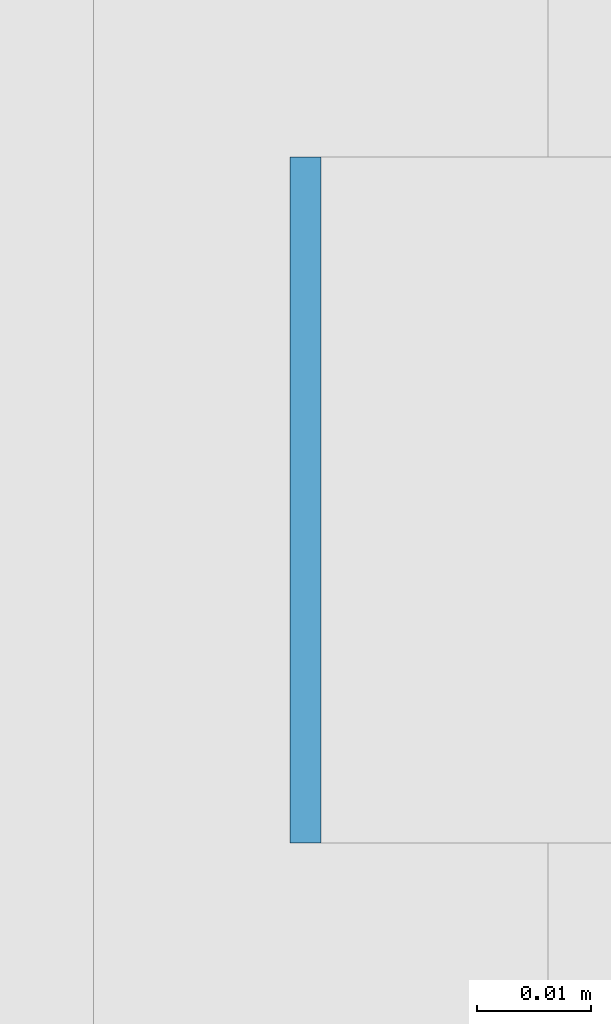
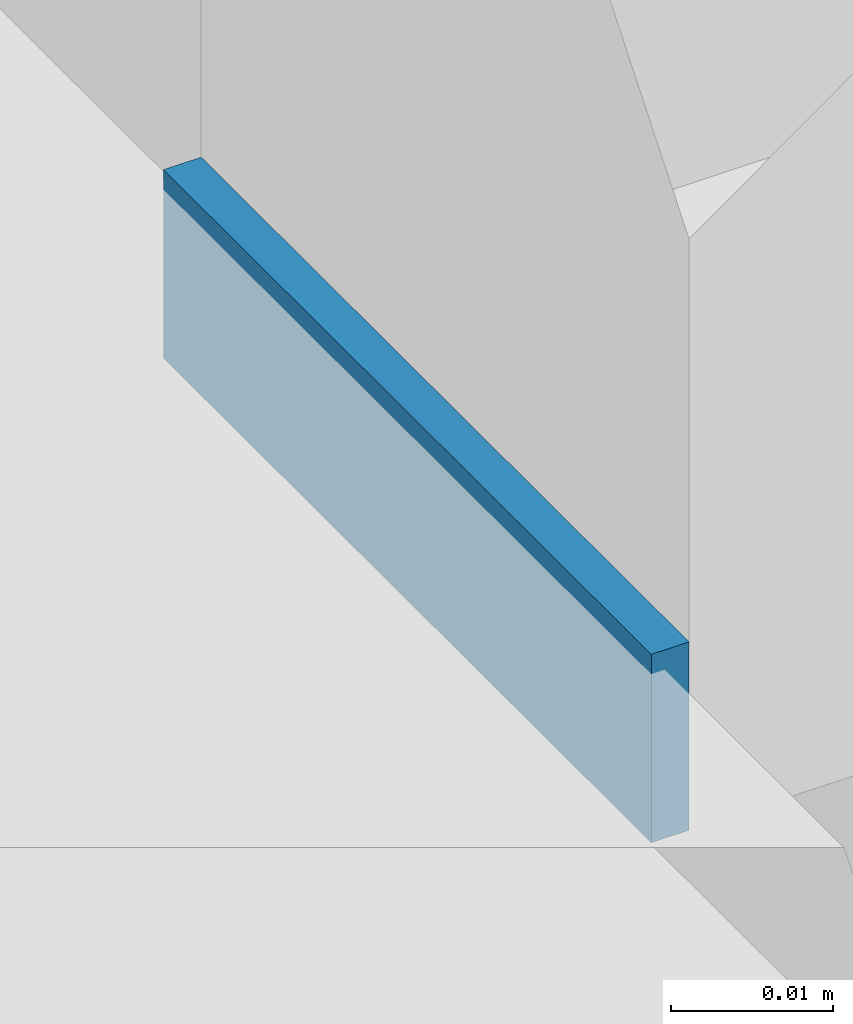
# One storey, part 464 of 646: 1 discrete accessory.
"""IFC4 building model written with IfcOpenShell, lengths in metres."""

from ifc_helpers import new_model, si_unit, direction, frame, origin, origin_2d, place, context, subcontext, project, spatial, rectangle, extrude, material, type_object, element, save


model = new_model("IFC4")

# Units and contexts
model_context = context("Model", 3, precision=1e-05, world=origin(), true_north=direction((0.0, 1.0)))
body_context = subcontext(model_context, "Body", "Model", "MODEL_VIEW")
ifc_project = project(units=[si_unit("LENGTHUNIT", "METRE"), si_unit("AREAUNIT", "SQUARE_METRE"), si_unit("VOLUMEUNIT", "CUBIC_METRE"), si_unit("PLANEANGLEUNIT", "RADIAN"), si_unit("MASSUNIT", "GRAM", prefix="KILO")], contexts=[model_context])

# Site, building, storey
site_placement = place(None, origin())
site = spatial("IfcSite", under=ifc_project, at=site_placement, CompositionType="ELEMENT")
building_placement = place(site_placement, origin())
building = spatial("IfcBuilding", under=site, at=building_placement, Name="Silverbay Arena", CompositionType="ELEMENT")
storey_placement = place(building_placement, frame((0.0, 0.0, 33.5)))
storey = spatial("IfcBuildingStorey", under=building, at=storey_placement, Name="L05", CompositionType="ELEMENT", Elevation=33.5)

# Discrete accessory
ifc_material = material(Name="Steel S355", Category="steel")
discrete_accessory_type = type_object("IfcDiscreteAccessoryType", Name="Steel bracket plate", PredefinedType="BRACKET", material=ifc_material)
discrete_accessory_placement = place(storey_placement, frame((207.128662109375, 46.28564453125, 4.0), z_axis=(0.0, 0.0, 1.0), x_axis=(1.0, 0.0, 0.0)))
element("IfcDiscreteAccessory", 1, at=discrete_accessory_placement, inside=storey, type_object=discrete_accessory_type, Name="Curtain wall packing plate", PredefinedType="BRACKET", context=body_context, shape_type="SweptSolid", body=[
    extrude(rectangle(XDim=0.002685546875, YDim=0.06005859375, at=origin_2d()), origin(), (0.0, 0.0, 1.0), 0.01416015625),
])

save(model, "model.ifc")
